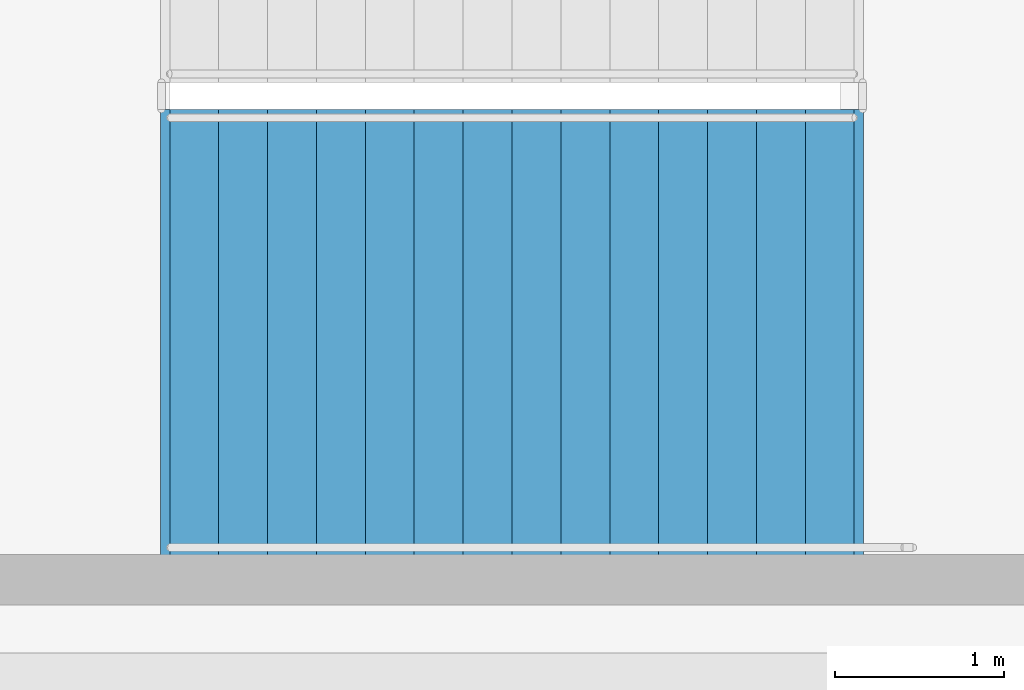
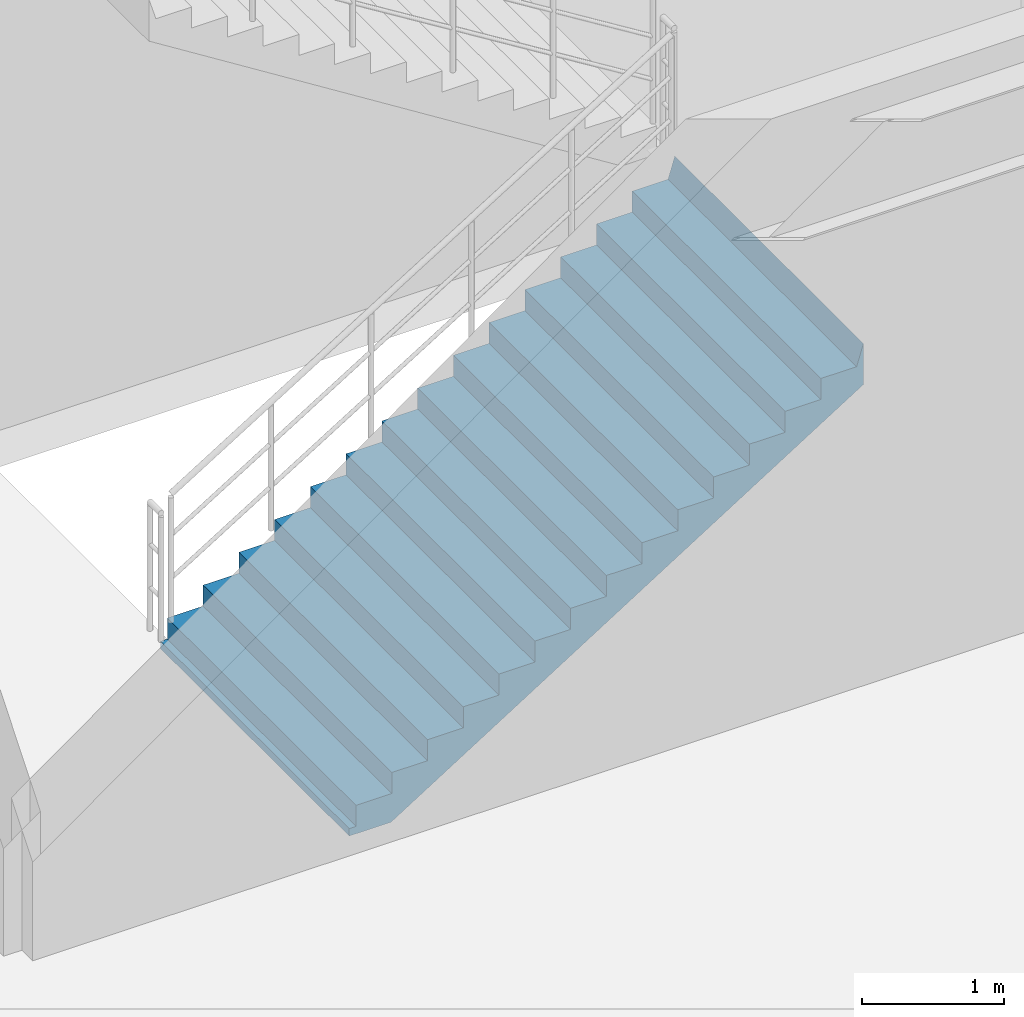
# One storey, part 80 of 93: 1 stair flight, 1 element without a shape of its own.
"""IFC4 building model written with IfcOpenShell, lengths in metres."""

from ifc_helpers import new_model, si_unit, direction, frame, origin, place, context, subcontext, project, spatial, polyline, outline, extrude, material, type_object, element, aggregate, save


model = new_model("IFC4")

# Units and contexts
model_context = context("Model", 3, precision=1e-05, world=origin(), true_north=direction((0.0, 1.0)))
body_context = subcontext(model_context, "Body", "Model", "MODEL_VIEW")
ifc_project = project(units=[si_unit("LENGTHUNIT", "METRE"), si_unit("AREAUNIT", "SQUARE_METRE"), si_unit("VOLUMEUNIT", "CUBIC_METRE"), si_unit("PLANEANGLEUNIT", "RADIAN"), si_unit("MASSUNIT", "GRAM", prefix="KILO")], contexts=[model_context])

# Site, building, storey
site_placement = place(None, origin())
site = spatial("IfcSite", under=ifc_project, at=site_placement, CompositionType="ELEMENT")
building_placement = place(site_placement, origin())
building = spatial("IfcBuilding", under=site, at=building_placement, Name="Cinderbank Siding Concert Hall", CompositionType="ELEMENT")
storey_placement = place(building_placement, origin())
storey = spatial("IfcBuildingStorey", under=building, at=storey_placement, Name="L01", CompositionType="ELEMENT", Elevation=0.0)

# Stair, stair flight
ifc_material = material(Name="Reinforced concrete AS 3600 N50 (50 MPa)", Category="concrete")
stair_type = type_object("IfcStairType", Name="STR-A Dogleg Exit Stair 2650mm", PredefinedType="HALF_TURN_STAIR", material=ifc_material)
stair_placement = place(storey_placement, origin())
stair = element("IfcStair", 1, at=stair_placement, inside=storey, type_object=stair_type, Name="L01 Orchestral Pavilion Exit Stair ST-07", PredefinedType="HALF_TURN_STAIR")
stair_flight_type = type_object("IfcStairFlightType", Name="SFL-A Concrete Stair Flight 2650mm", PredefinedType="STRAIGHT", material=ifc_material)
stair_flight_placement = place(storey_placement, frame((155.14990234375, 112.52490234375, 0.0), z_axis=(0.0, 0.0, 1.0), x_axis=(1.0, 0.0, 0.0)))
stair_flight = element("IfcStairFlight", 2, at=stair_flight_placement, type_object=stair_flight_type, Name="ST-07 flight 1", NumberOfRisers=15, NumberOfTreads=14, PredefinedType="STRAIGHT", RiserHeight=0.18, TreadLength=0.29, context=body_context, shape_type="SweptSolid", body=[
    extrude(outline(polyline([(0.0, 0.0), (0.0, 0.179931640625), (0.2900390625, 0.179931640625), (0.2900390625, 0.360107421875), (0.580078125, 0.360107421875), (0.580078125, 0.5400390625), (0.8701171875, 0.5400390625), (0.8701171875, 0.719970703125), (1.159912109375, 0.719970703125), (1.159912109375, 0.89990234375), (1.449951171875, 0.89990234375), (1.449951171875, 1.080078125), (1.739990234375, 1.080078125), (1.739990234375, 1.260009765625), (2.030029296875, 1.260009765625), (2.030029296875, 1.43994140625), (2.320068359375, 1.43994140625), (2.320068359375, 1.6201171875), (2.610107421875, 1.6201171875), (2.610107421875, 1.800048828125), (2.89990234375, 1.800048828125), (2.89990234375, 1.97998046875), (3.18994140625, 1.97998046875), (3.18994140625, 2.159912109375), (3.47998046875, 2.159912109375), (3.47998046875, 2.340087890625), (3.77001953125, 2.340087890625), (3.77001953125, 2.52001953125), (4.06005859375, 2.52001953125), (4.114990234375, 2.699951171875), (4.114990234375, 2.343505859375), (4.11474609375, 2.34375), (4.11474609375, 2.343994140625), (4.11474609375, 2.34423828125), (4.11474609375, 2.344482421875), (4.11474609375, 2.3447265625), (4.11474609375, 2.344970703125), (4.11474609375, 2.34521484375), (4.11474609375, 2.345458984375), (4.11474609375, 2.345703125), (4.11474609375, 2.345947265625), (4.11474609375, 2.34619140625), (4.11474609375, 2.346435546875), (4.114501953125, 2.346435546875), (4.114501953125, 2.34619140625), (4.114501953125, 2.345947265625), (4.114501953125, 2.345703125), (4.114501953125, 2.345458984375), (4.114501953125, 2.34521484375), (4.114501953125, 2.344970703125), (4.114501953125, 2.3447265625), (4.114501953125, 2.344482421875), (4.114501953125, 2.34423828125), (4.114501953125, 2.343994140625), (4.114501953125, 2.34375), (4.114501953125, 2.343505859375), (4.1142578125, 2.34375), (4.1142578125, 2.343994140625), (4.1142578125, 2.34423828125), (4.1142578125, 2.344482421875), (4.1142578125, 2.3447265625), (4.1142578125, 2.344970703125), (4.1142578125, 2.34521484375), (4.1142578125, 2.345458984375), (4.1142578125, 2.345703125), (4.1142578125, 2.345947265625), (4.1142578125, 2.34619140625), (4.1142578125, 2.346435546875), (4.114013671875, 2.346435546875), (4.114013671875, 2.34619140625), (4.114013671875, 2.345947265625), (4.114013671875, 2.345703125), (4.114013671875, 2.345458984375), (4.114013671875, 2.34521484375), (4.114013671875, 2.344970703125), (4.114013671875, 2.3447265625), (4.114013671875, 2.344482421875), (4.114013671875, 2.34423828125), (4.114013671875, 2.343994140625), (4.114013671875, 2.34375), (4.114013671875, 2.343505859375), (4.11376953125, 2.34375), (4.11376953125, 2.343994140625), (4.11376953125, 2.34423828125), (4.11376953125, 2.344482421875), (4.11376953125, 2.3447265625), (4.11376953125, 2.344970703125), (4.11376953125, 2.34521484375), (4.11376953125, 2.345458984375), (4.11376953125, 2.345703125), (4.11376953125, 2.345947265625), (4.11376953125, 2.34619140625), (4.11376953125, 2.346435546875), (4.113525390625, 2.346435546875), (4.113525390625, 2.34619140625), (4.113525390625, 2.345947265625), (4.113525390625, 2.345703125), (4.113525390625, 2.345458984375), (4.113525390625, 2.34521484375), (4.113525390625, 2.344970703125), (4.113525390625, 2.3447265625), (4.113525390625, 2.344482421875), (4.113525390625, 2.34423828125), (4.113525390625, 2.343994140625), (4.113525390625, 2.34375), (4.113525390625, 2.343505859375), (4.11328125, 2.34375), (4.11328125, 2.343994140625), (4.11328125, 2.34423828125), (4.11328125, 2.344482421875), (4.11328125, 2.3447265625), (4.11328125, 2.344970703125), (4.11328125, 2.34521484375), (4.11328125, 2.345458984375), (4.11328125, 2.345703125), (4.11328125, 2.345947265625), (4.11328125, 2.34619140625), (4.11328125, 2.346435546875), (4.113037109375, 2.346435546875), (4.113037109375, 2.34619140625), (4.113037109375, 2.345947265625), (4.113037109375, 2.345703125), (4.113037109375, 2.345458984375), (4.113037109375, 2.34521484375), (4.113037109375, 2.344970703125), (4.113037109375, 2.3447265625), (4.113037109375, 2.344482421875), (4.113037109375, 2.34423828125), (4.113037109375, 2.343994140625), (4.113037109375, 2.34375), (4.113037109375, 2.343505859375), (4.11279296875, 2.34375), (4.11279296875, 2.343994140625), (4.11279296875, 2.34423828125), (4.11279296875, 2.344482421875), (4.11279296875, 2.3447265625), (4.11279296875, 2.344970703125), (4.11279296875, 2.34521484375), (4.11279296875, 2.345458984375), (4.11279296875, 2.345703125), (4.11279296875, 2.345947265625), (4.11279296875, 2.34619140625), (4.11279296875, 2.346435546875), (4.112548828125, 2.346435546875), (4.112548828125, 2.34619140625), (4.112548828125, 2.345947265625), (4.112548828125, 2.345703125), (4.112548828125, 2.345458984375), (4.112548828125, 2.34521484375), (4.112548828125, 2.344970703125), (4.112548828125, 2.3447265625), (4.112548828125, 2.344482421875), (4.112548828125, 2.34423828125), (4.112548828125, 2.343994140625), (4.112548828125, 2.34375), (4.112548828125, 2.343505859375), (4.1123046875, 2.34375), (4.1123046875, 2.343994140625), (4.1123046875, 2.34423828125), (4.1123046875, 2.344482421875), (4.1123046875, 2.3447265625), (4.1123046875, 2.344970703125), (4.1123046875, 2.34521484375), (4.1123046875, 2.345458984375), (4.1123046875, 2.345703125), (4.1123046875, 2.345947265625), (4.1123046875, 2.34619140625), (4.1123046875, 2.346435546875), (4.112060546875, 2.346435546875), (4.112060546875, 2.34619140625), (4.112060546875, 2.345947265625), (4.112060546875, 2.345703125), (4.112060546875, 2.345458984375), (4.112060546875, 2.34521484375), (4.112060546875, 2.344970703125), (4.112060546875, 2.3447265625), (4.112060546875, 2.344482421875), (4.112060546875, 2.34423828125), (4.112060546875, 2.343994140625), (4.112060546875, 2.34375), (4.112060546875, 2.343505859375), (4.11181640625, 2.34375), (4.11181640625, 2.343994140625), (4.11181640625, 2.34423828125), (4.11181640625, 2.344482421875), (4.11181640625, 2.3447265625), (4.11181640625, 2.344970703125), (4.11181640625, 2.34521484375), (4.11181640625, 2.345458984375), (4.11181640625, 2.345703125), (4.11181640625, 2.345947265625), (4.11181640625, 2.34619140625), (4.11181640625, 2.346435546875), (4.111572265625, 2.346435546875), (4.111572265625, 2.34619140625), (4.111572265625, 2.345947265625), (4.111572265625, 2.345703125), (4.111572265625, 2.345458984375), (4.111572265625, 2.34521484375), (4.111572265625, 2.344970703125), (4.111572265625, 2.3447265625), (4.111572265625, 2.344482421875), (4.111572265625, 2.34423828125), (4.111572265625, 2.343994140625), (4.111572265625, 2.34375), (4.111572265625, 2.343505859375), (4.111328125, 2.34375), (4.111328125, 2.343994140625), (4.111328125, 2.34423828125), (4.111328125, 2.344482421875), (4.111328125, 2.3447265625), (4.111328125, 2.344970703125), (4.111328125, 2.34521484375), (4.111328125, 2.345458984375), (4.111328125, 2.345703125), (4.111328125, 2.345947265625), (4.111328125, 2.34619140625), (4.111328125, 2.346435546875), (4.111083984375, 2.346435546875), (4.111083984375, 2.34619140625), (4.111083984375, 2.345947265625), (4.111083984375, 2.345703125), (4.111083984375, 2.345458984375), (4.111083984375, 2.34521484375), (4.111083984375, 2.344970703125), (4.111083984375, 2.3447265625), (4.111083984375, 2.344482421875), (4.111083984375, 2.34423828125), (4.111083984375, 2.343994140625), (4.111083984375, 2.34375), (4.111083984375, 2.343505859375), (4.11083984375, 2.34375), (4.11083984375, 2.343994140625), (4.11083984375, 2.34423828125), (4.11083984375, 2.344482421875), (4.11083984375, 2.3447265625), (4.11083984375, 2.344970703125), (4.11083984375, 2.34521484375), (4.11083984375, 2.345458984375), (4.11083984375, 2.345703125), (4.11083984375, 2.345947265625), (4.11083984375, 2.34619140625), (4.11083984375, 2.346435546875), (4.110595703125, 2.346435546875), (4.110595703125, 2.34619140625), (4.110595703125, 2.345947265625), (4.110595703125, 2.345703125), (4.110595703125, 2.345458984375), (4.110595703125, 2.34521484375), (4.110595703125, 2.344970703125), (4.110595703125, 2.3447265625), (4.110595703125, 2.344482421875), (4.110595703125, 2.34423828125), (4.110595703125, 2.343994140625), (4.110595703125, 2.34375), (4.110595703125, 2.343505859375), (4.1103515625, 2.34375), (4.1103515625, 2.343994140625), (4.1103515625, 2.34423828125), (4.1103515625, 2.344482421875), (4.1103515625, 2.3447265625), (4.1103515625, 2.344970703125), (4.1103515625, 2.34521484375), (4.1103515625, 2.345458984375), (4.1103515625, 2.345703125), (4.1103515625, 2.345947265625), (4.1103515625, 2.34619140625), (4.1103515625, 2.346435546875), (4.110107421875, 2.346435546875), (4.110107421875, 2.34619140625), (4.110107421875, 2.345947265625), (4.110107421875, 2.345703125), (4.110107421875, 2.345458984375), (4.110107421875, 2.34521484375), (4.110107421875, 2.344970703125), (4.110107421875, 2.3447265625), (4.110107421875, 2.344482421875), (4.110107421875, 2.34423828125), (4.110107421875, 2.343994140625), (4.110107421875, 2.34375), (4.110107421875, 2.343505859375), (4.10986328125, 2.34375), (4.10986328125, 2.343994140625), (4.10986328125, 2.34423828125), (4.10986328125, 2.344482421875), (4.10986328125, 2.3447265625), (4.10986328125, 2.344970703125), (4.10986328125, 2.34521484375), (4.10986328125, 2.345458984375), (4.10986328125, 2.345703125), (4.10986328125, 2.345947265625), (4.10986328125, 2.34619140625), (4.10986328125, 2.346435546875), (4.109619140625, 2.346435546875), (4.109619140625, 2.34619140625), (4.109619140625, 2.345947265625), (4.109619140625, 2.345703125), (4.109619140625, 2.345458984375), (4.109619140625, 2.34521484375), (4.109619140625, 2.344970703125), (4.109619140625, 2.3447265625), (4.109619140625, 2.344482421875), (4.109619140625, 2.34423828125), (4.109619140625, 2.343994140625), (4.109619140625, 2.34375), (4.109619140625, 2.343505859375), (4.109375, 2.34375), (4.109375, 2.343994140625), (4.109375, 2.34423828125), (4.109375, 2.344482421875), (4.109375, 2.3447265625), (4.109375, 2.344970703125), (4.109375, 2.34521484375), (4.109375, 2.345458984375), (4.109375, 2.345703125), (4.109375, 2.345947265625), (4.109375, 2.34619140625), (4.109375, 2.346435546875), (4.109130859375, 2.346435546875), (4.109130859375, 2.34619140625), (4.109130859375, 2.345947265625), (4.109130859375, 2.345703125), (4.109130859375, 2.345458984375), (4.109130859375, 2.34521484375), (4.109130859375, 2.344970703125), (4.109130859375, 2.3447265625), (4.109130859375, 2.344482421875), (4.109130859375, 2.34423828125), (4.109130859375, 2.343994140625), (4.109130859375, 2.34375), (4.109130859375, 2.343505859375), (4.10888671875, 2.34375), (4.10888671875, 2.343994140625), (4.10888671875, 2.34423828125), (4.10888671875, 2.344482421875), (4.10888671875, 2.3447265625), (4.10888671875, 2.344970703125), (4.10888671875, 2.34521484375), (4.10888671875, 2.345458984375), (4.10888671875, 2.345703125), (4.10888671875, 2.345947265625), (4.10888671875, 2.34619140625), (4.10888671875, 2.346435546875), (4.108642578125, 2.346435546875), (4.108642578125, 2.34619140625), (4.108642578125, 2.345947265625), (4.108642578125, 2.345703125), (4.108642578125, 2.345458984375), (4.108642578125, 2.34521484375), (4.108642578125, 2.344970703125), (4.108642578125, 2.3447265625), (4.108642578125, 2.344482421875), (4.108642578125, 2.34423828125), (4.108642578125, 2.343994140625), (4.108642578125, 2.34375), (4.108642578125, 2.343505859375), (0.2841796875, -0.06396484375), (-0.048583984375, -0.063720703125), (-0.048583984375, -0.0634765625), (-0.048583984375, -0.063232421875), (-0.048583984375, -0.06298828125), (-0.048583984375, -0.062744140625), (-0.048583984375, -0.0625), (-0.048583984375, -0.062255859375), (-0.048583984375, -0.06201171875), (-0.048583984375, -0.061767578125), (-0.048583984375, -0.0615234375), (-0.048583984375, -0.061279296875), (-0.048583984375, -0.06103515625), (-0.048828125, -0.06103515625), (-0.048828125, -0.061279296875), (-0.048828125, -0.0615234375), (-0.048828125, -0.061767578125), (-0.048828125, -0.06201171875), (-0.048828125, -0.062255859375), (-0.048828125, -0.0625), (-0.048828125, -0.062744140625), (-0.048828125, -0.06298828125), (-0.048828125, -0.063232421875), (-0.048828125, -0.0634765625), (-0.048828125, -0.063720703125), (-0.048828125, -0.06396484375), (-0.049072265625, -0.063720703125), (-0.049072265625, -0.0634765625), (-0.049072265625, -0.063232421875), (-0.049072265625, -0.06298828125), (-0.049072265625, -0.062744140625), (-0.049072265625, -0.0625), (-0.049072265625, -0.062255859375), (-0.049072265625, -0.06201171875), (-0.049072265625, -0.061767578125), (-0.049072265625, -0.0615234375), (-0.049072265625, -0.061279296875), (-0.049072265625, -0.06103515625), (-0.04931640625, -0.06103515625), (-0.04931640625, -0.061279296875), (-0.04931640625, -0.0615234375), (-0.04931640625, -0.061767578125), (-0.04931640625, -0.06201171875), (-0.04931640625, -0.062255859375), (-0.04931640625, -0.0625), (-0.04931640625, -0.062744140625), (-0.04931640625, -0.06298828125), (-0.04931640625, -0.063232421875), (-0.04931640625, -0.0634765625), (-0.04931640625, -0.063720703125), (-0.04931640625, -0.06396484375), (-0.049560546875, -0.063720703125), (-0.049560546875, -0.0634765625), (-0.049560546875, -0.063232421875), (-0.049560546875, -0.06298828125), (-0.049560546875, -0.062744140625), (-0.049560546875, -0.0625), (-0.049560546875, -0.062255859375), (-0.049560546875, -0.06201171875), (-0.049560546875, -0.061767578125), (-0.049560546875, -0.0615234375), (-0.049560546875, -0.061279296875), (-0.049560546875, -0.06103515625), (-0.0498046875, -0.06103515625), (-0.0498046875, -0.061279296875), (-0.0498046875, -0.0615234375), (-0.0498046875, -0.061767578125), (-0.0498046875, -0.06201171875), (-0.0498046875, -0.062255859375), (-0.0498046875, -0.0625), (-0.0498046875, -0.062744140625), (-0.0498046875, -0.06298828125), (-0.0498046875, -0.063232421875), (-0.0498046875, -0.0634765625), (-0.0498046875, -0.063720703125), (-0.0498046875, -0.06396484375), (-0.050048828125, -0.063720703125), (-0.050048828125, -0.0634765625), (-0.050048828125, -0.063232421875), (-0.050048828125, -0.06298828125), (-0.050048828125, -0.062744140625), (-0.050048828125, -0.0625), (-0.050048828125, -0.062255859375), (-0.050048828125, -0.06201171875), (-0.050048828125, -0.061767578125), (-0.050048828125, -0.0615234375), (-0.050048828125, -0.061279296875), (-0.050048828125, -0.06103515625), (-0.05029296875, -0.06103515625), (-0.05029296875, -0.061279296875), (-0.05029296875, -0.0615234375), (-0.05029296875, -0.061767578125), (-0.05029296875, -0.06201171875), (-0.05029296875, -0.062255859375), (-0.05029296875, -0.0625), (-0.05029296875, -0.062744140625), (-0.05029296875, -0.06298828125), (-0.05029296875, -0.063232421875), (-0.05029296875, -0.0634765625), (-0.05029296875, -0.063720703125), (-0.05029296875, -0.06396484375), (-0.050537109375, -0.063720703125), (-0.050537109375, -0.0634765625), (-0.050537109375, -0.063232421875), (-0.050537109375, -0.06298828125), (-0.050537109375, -0.062744140625), (-0.050537109375, -0.0625), (-0.050537109375, -0.062255859375), (-0.050537109375, -0.06201171875), (-0.050537109375, -0.061767578125), (-0.050537109375, -0.0615234375), (-0.050537109375, -0.061279296875), (-0.050537109375, -0.06103515625), (-0.05078125, -0.06103515625), (-0.05078125, -0.061279296875), (-0.05078125, -0.0615234375), (-0.05078125, -0.061767578125), (-0.05078125, -0.06201171875), (-0.05078125, -0.062255859375), (-0.05078125, -0.0625), (-0.05078125, -0.062744140625), (-0.05078125, -0.06298828125), (-0.05078125, -0.063232421875), (-0.05078125, -0.0634765625), (-0.05078125, -0.063720703125), (-0.05078125, -0.06396484375), (-0.051025390625, -0.063720703125), (-0.051025390625, -0.0634765625), (-0.051025390625, -0.063232421875), (-0.051025390625, -0.06298828125), (-0.051025390625, -0.062744140625), (-0.051025390625, -0.0625), (-0.051025390625, -0.062255859375), (-0.051025390625, -0.06201171875), (-0.051025390625, -0.061767578125), (-0.051025390625, -0.0615234375), (-0.051025390625, -0.061279296875), (-0.051025390625, -0.06103515625), (-0.05126953125, -0.06103515625), (-0.05126953125, -0.061279296875), (-0.05126953125, -0.0615234375), (-0.05126953125, -0.061767578125), (-0.05126953125, -0.06201171875), (-0.05126953125, -0.062255859375), (-0.05126953125, -0.0625), (-0.05126953125, -0.062744140625), (-0.05126953125, -0.06298828125), (-0.05126953125, -0.063232421875), (-0.05126953125, -0.0634765625), (-0.05126953125, -0.063720703125), (-0.05126953125, -0.06396484375), (-0.051513671875, -0.063720703125), (-0.051513671875, -0.0634765625), (-0.051513671875, -0.063232421875), (-0.051513671875, -0.06298828125), (-0.051513671875, -0.062744140625), (-0.051513671875, -0.0625), (-0.051513671875, -0.062255859375), (-0.051513671875, -0.06201171875), (-0.051513671875, -0.061767578125), (-0.051513671875, -0.0615234375), (-0.051513671875, -0.061279296875), (-0.051513671875, -0.06103515625), (-0.0517578125, -0.06103515625), (-0.0517578125, -0.061279296875), (-0.0517578125, -0.0615234375), (-0.0517578125, -0.061767578125), (-0.0517578125, -0.06201171875), (-0.0517578125, -0.062255859375), (-0.0517578125, -0.0625), (-0.0517578125, -0.062744140625), (-0.0517578125, -0.06298828125), (-0.0517578125, -0.063232421875), (-0.0517578125, -0.0634765625), (-0.0517578125, -0.063720703125), (-0.0517578125, -0.06396484375), (-0.052001953125, -0.063720703125), (-0.052001953125, -0.0634765625), (-0.052001953125, -0.063232421875), (-0.052001953125, -0.06298828125), (-0.052001953125, -0.062744140625), (-0.052001953125, -0.0625), (-0.052001953125, -0.062255859375), (-0.052001953125, -0.06201171875), (-0.052001953125, -0.061767578125), (-0.052001953125, -0.0615234375), (-0.052001953125, -0.061279296875), (-0.052001953125, -0.06103515625), (-0.05224609375, -0.06103515625), (-0.05224609375, -0.061279296875), (-0.05224609375, -0.0615234375), (-0.05224609375, -0.061767578125), (-0.05224609375, -0.06201171875), (-0.05224609375, -0.062255859375), (-0.05224609375, -0.0625), (-0.05224609375, -0.062744140625), (-0.05224609375, -0.06298828125), (-0.05224609375, -0.063232421875), (-0.05224609375, -0.0634765625), (-0.05224609375, -0.063720703125), (-0.05224609375, -0.06396484375), (-0.052490234375, -0.063720703125), (-0.052490234375, -0.0634765625), (-0.052490234375, -0.063232421875), (-0.052490234375, -0.06298828125), (-0.052490234375, -0.062744140625), (-0.052490234375, -0.0625), (-0.052490234375, -0.062255859375), (-0.052490234375, -0.06201171875), (-0.052490234375, -0.061767578125), (-0.052490234375, -0.0615234375), (-0.052490234375, -0.061279296875), (-0.052490234375, -0.06103515625), (-0.052734375, -0.06103515625), (-0.052734375, -0.061279296875), (-0.052734375, -0.0615234375), (-0.052734375, -0.061767578125), (-0.052734375, -0.06201171875), (-0.052734375, -0.062255859375), (-0.052734375, -0.0625), (-0.052734375, -0.062744140625), (-0.052734375, -0.06298828125), (-0.052734375, -0.063232421875), (-0.052734375, -0.0634765625), (-0.052734375, -0.063720703125), (-0.052734375, -0.06396484375), (-0.052978515625, -0.063720703125), (-0.052978515625, -0.0634765625), (-0.052978515625, -0.063232421875), (-0.052978515625, -0.06298828125), (-0.052978515625, -0.062744140625), (-0.052978515625, -0.0625), (-0.052978515625, -0.062255859375), (-0.052978515625, -0.06201171875), (-0.052978515625, -0.061767578125), (-0.052978515625, -0.0615234375), (-0.052978515625, -0.061279296875), (-0.052978515625, -0.06103515625), (-0.05322265625, -0.06103515625), (-0.05322265625, -0.061279296875), (-0.05322265625, -0.0615234375), (-0.05322265625, -0.061767578125), (-0.05322265625, -0.06201171875), (-0.05322265625, -0.062255859375), (-0.05322265625, -0.0625), (-0.05322265625, -0.062744140625), (-0.05322265625, -0.06298828125), (-0.05322265625, -0.063232421875), (-0.05322265625, -0.0634765625), (-0.05322265625, -0.063720703125), (-0.05322265625, -0.06396484375), (-0.053466796875, -0.063720703125), (-0.053466796875, -0.0634765625), (-0.053466796875, -0.063232421875), (-0.053466796875, -0.06298828125), (-0.053466796875, -0.062744140625), (-0.053466796875, -0.0625), (-0.053466796875, -0.062255859375), (-0.053466796875, -0.06201171875), (-0.053466796875, -0.061767578125), (-0.053466796875, -0.0615234375), (-0.053466796875, -0.061279296875), (-0.053466796875, -0.06103515625), (-0.0537109375, -0.06103515625), (-0.0537109375, -0.061279296875), (-0.0537109375, -0.0615234375), (-0.0537109375, -0.061767578125), (-0.0537109375, -0.06201171875), (-0.0537109375, -0.062255859375), (-0.0537109375, -0.0625), (-0.0537109375, -0.062744140625), (-0.0537109375, -0.06298828125), (-0.0537109375, -0.063232421875), (-0.0537109375, -0.0634765625), (-0.0537109375, -0.063720703125), (-0.0537109375, -0.06396484375), (-0.053955078125, -0.063720703125), (-0.053955078125, -0.0634765625), (-0.053955078125, -0.063232421875), (-0.053955078125, -0.06298828125), (-0.053955078125, -0.062744140625), (-0.053955078125, -0.0625), (-0.053955078125, -0.062255859375), (-0.053955078125, -0.06201171875), (-0.053955078125, -0.061767578125), (-0.053955078125, -0.0615234375), (-0.053955078125, -0.061279296875), (-0.053955078125, -0.06103515625), (-0.05419921875, -0.06103515625), (-0.05419921875, -0.061279296875), (-0.05419921875, -0.0615234375), (-0.05419921875, -0.061767578125), (-0.05419921875, -0.06201171875), (-0.05419921875, -0.062255859375), (-0.05419921875, -0.0625), (-0.05419921875, -0.062744140625), (-0.05419921875, -0.06298828125), (-0.05419921875, -0.063232421875), (-0.05419921875, -0.0634765625), (-0.05419921875, -0.063720703125), (-0.05419921875, -0.06396484375), (-0.054443359375, -0.063720703125), (-0.054443359375, -0.0634765625), (-0.054443359375, -0.063232421875), (-0.054443359375, -0.06298828125), (-0.054443359375, -0.062744140625), (-0.054443359375, -0.0625), (-0.054443359375, -0.062255859375), (-0.054443359375, -0.06201171875), (-0.054443359375, -0.061767578125), (-0.054443359375, -0.0615234375), (-0.054443359375, -0.061279296875), (-0.054443359375, -0.06103515625), (-0.0546875, -0.06103515625), (-0.0546875, -0.061279296875), (-0.0546875, -0.0615234375), (-0.0546875, -0.061767578125), (-0.0546875, -0.06201171875), (-0.0546875, -0.062255859375), (-0.0546875, -0.0625), (-0.0546875, -0.062744140625), (-0.0546875, -0.06298828125), (-0.0546875, -0.063232421875), (-0.0546875, -0.0634765625), (-0.0546875, -0.063720703125), (-0.0546875, -0.06396484375), (-0.054931640625, -0.06396484375), (-0.054931640625, 0.0), (0.0, 0.0)])), frame((0.0, 1.324951171875, 0.0), z_axis=(0.0, -1.0, 0.0), x_axis=(1.0, 0.0, 0.0)), (0.0, 0.0, 1.0), 2.64990234375),
])
aggregate(stair, [stair_flight])

save(model, "model.ifc")
